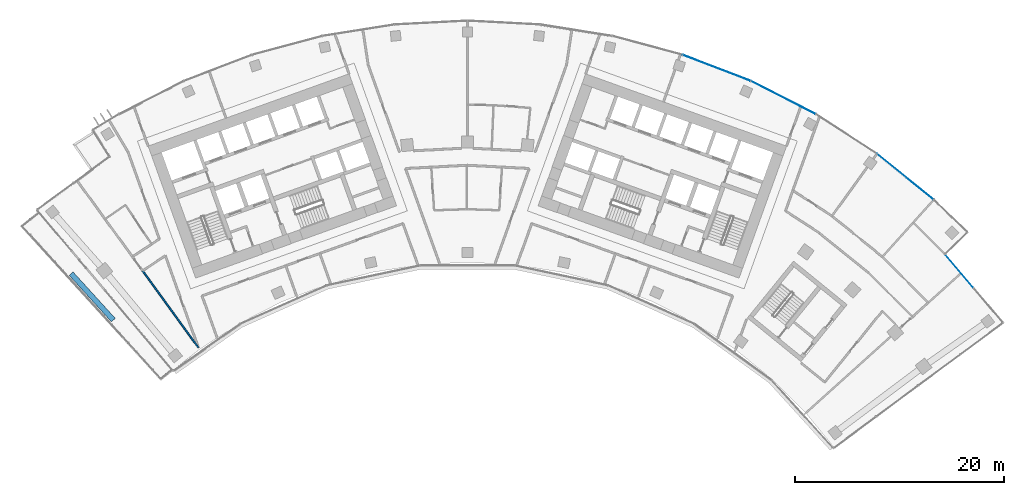
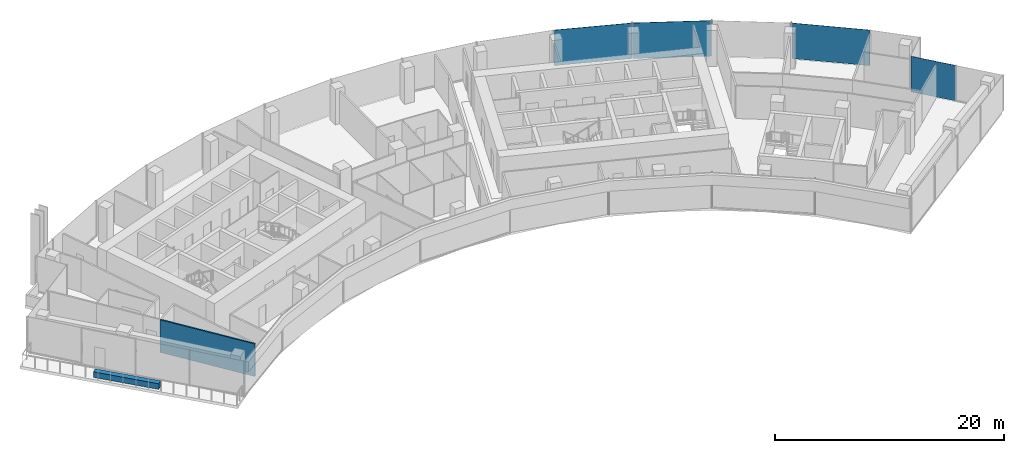
# One storey, part 10 of 18: 4 plates, 2 walls, 2 elements without a shape of their own.
"""IFC4 building model written with IfcOpenShell, lengths in metres."""

from ifc_helpers import new_model, si_unit, direction, frame, frame_2d, origin, origin_2d, place, context, subcontext, project, spatial, rectangle, extrude, material, layer, layer_set, type_object, element, aggregate, save


model = new_model("IFC4")

# Units and contexts
model_context = context("Model", 3, precision=1e-05, world=origin(), true_north=direction((0.0, 1.0)))
body_context = subcontext(model_context, "Body", "Model", "MODEL_VIEW")
ifc_project = project(units=[si_unit("LENGTHUNIT", "METRE"), si_unit("AREAUNIT", "SQUARE_METRE"), si_unit("VOLUMEUNIT", "CUBIC_METRE"), si_unit("PLANEANGLEUNIT", "RADIAN"), si_unit("MASSUNIT", "GRAM", prefix="KILO")], contexts=[model_context])

# Site, building, storey
site_placement = place(None, origin())
site = spatial("IfcSite", under=ifc_project, at=site_placement, CompositionType="ELEMENT")
building_placement = place(site_placement, origin())
building = spatial("IfcBuilding", under=site, at=building_placement, Name="Stone Belt Terrace Tower", CompositionType="ELEMENT")
storey_placement = place(building_placement, frame((0.0, 0.0, 239.0)))
storey = spatial("IfcBuildingStorey", under=building, at=storey_placement, Name="L58", CompositionType="ELEMENT", Elevation=239.0)

# Curtain wall, plates
ifc_material_1 = material(Name="Aluminium 6063-T6 anodised frame", Category="aluminium")
ifc_layer_1 = layer(ifc_material_1, 0.14990234375)
ifc_layer_set_1 = layer_set([ifc_layer_1], Name="CW-A unitised convex-face curtain wall")
curtain_wall_type_1 = type_object("IfcCurtainWallType", Name="CW-A unitised convex-face curtain wall", PredefinedType="NOTDEFINED", material=ifc_layer_set_1)
curtain_wall_1_placement = place(storey_placement, origin())
curtain_wall_1 = element("IfcCurtainWall", 1, at=curtain_wall_1_placement, inside=storey, type_object=curtain_wall_type_1, Name="CW-A convex face L58", PredefinedType="NOTDEFINED")
ifc_material_2 = material(Name="Clear double glazed unit")
ifc_layer_2 = layer(ifc_material_2, 0.031982421875)
ifc_layer_set_2 = layer_set([ifc_layer_2], Name="CW-A glass panel 32")
plate_type_1 = type_object("IfcPlateType", Name="CW-A glass panel 32", PredefinedType="CURTAIN_PANEL", material=ifc_layer_set_2)
plate_1_placement = place(storey_placement, frame((41.839599609375, 51.667724609375, 0.0), z_axis=(0.0, 0.0, 1.0), x_axis=(-0.777145961457, 0.62932039105, 0.0)))
plate_1 = element("IfcPlate", 2, at=plate_1_placement, type_object=plate_type_1, Name="CW-A panel 2.1", PredefinedType="CURTAIN_PANEL", context=body_context, shape_type="SweptSolid", body=[
    extrude(rectangle(XDim=6.90087890625, YDim=0.031982421875, at=origin_2d()), origin(), (0.0, 0.0, 1.0), 3.800048828125),
])
plate_2_placement = place(storey_placement, frame((30.18310546875, 59.237548828125, 0.0), z_axis=(0.0, 0.0, 1.0), x_axis=(-0.891006524188, 0.45399049974, 0.0)))
plate_2 = element("IfcPlate", 3, at=plate_2_placement, type_object=plate_type_1, Name="CW-A panel 4.1", PredefinedType="CURTAIN_PANEL", context=body_context, shape_type="SweptSolid", body=[
    extrude(rectangle(XDim=6.90087890625, YDim=0.031982421875, at=origin_2d()), origin(), (0.0, 0.0, 1.0), 3.800048828125),
])
plate_3_placement = place(storey_placement, frame((23.82568359375, 62.068115234375, 0.0), z_axis=(0.0, 0.0, 1.0), x_axis=(-0.933580426497, 0.358367949545, 0.0)))
plate_3 = element("IfcPlate", 4, at=plate_3_placement, type_object=plate_type_1, Name="CW-A panel 5.1", PredefinedType="CURTAIN_PANEL", context=body_context, shape_type="SweptSolid", body=[
    extrude(rectangle(XDim=6.90087890625, YDim=0.031982421875, at=origin_2d()), origin(), (0.0, 0.0, 1.0), 3.800048828125),
])
aggregate(curtain_wall_1, [plate_1, plate_2, plate_3])

# Curtain wall, plate
ifc_layer_3 = layer(ifc_material_1, 0.14990234375)
ifc_layer_set_3 = layer_set([ifc_layer_3], Name="CW-C stick curtain wall, horn ends and notches")
curtain_wall_type_2 = type_object("IfcCurtainWallType", Name="CW-C stick curtain wall, horn ends and notches", PredefinedType="NOTDEFINED", material=ifc_layer_set_3)
curtain_wall_2_placement = place(storey_placement, origin())
curtain_wall_2 = element("IfcCurtainWall", 5, at=curtain_wall_2_placement, inside=storey, type_object=curtain_wall_type_2, Name="CW-C notch face L58", PredefinedType="NOTDEFINED")
ifc_layer_4 = layer(ifc_material_2, 0.028076171875)
ifc_layer_set_4 = layer_set([ifc_layer_4], Name="CW-C glass panel 28")
plate_type_2 = type_object("IfcPlateType", Name="CW-C glass panel 28", PredefinedType="CURTAIN_PANEL", material=ifc_layer_set_4)
plate_4_placement = place(storey_placement, frame((47.000244140625, 42.645751953125, 0.0), z_axis=(0.0, 0.0, 1.0), x_axis=(-0.647210945735, 0.762310954743, 0.0)))
plate_4 = element("IfcPlate", 6, at=plate_4_placement, type_object=plate_type_2, Name="CW-C panel 2.1", PredefinedType="CURTAIN_PANEL", context=body_context, shape_type="SweptSolid", body=[
    extrude(rectangle(XDim=4.12060546875, YDim=0.028076171875, at=origin_2d()), origin(), (0.0, 0.0, 1.0), 3.800048828125),
])
aggregate(curtain_wall_2, [plate_4])

# Walls
ifc_material_3 = material(Name="Gypsum board partition")
ifc_layer_5 = layer(ifc_material_3, 0.14990234375)
ifc_layer_set_5 = layer_set([ifc_layer_5], Name="PARTITION 150 EI 60")
wall_type_1 = type_object("IfcWallType", Name="PARTITION 150 EI 60", PredefinedType="PARTITIONING", material=ifc_layer_set_5)
wall_1_placement = place(storey_placement, frame((-31.02294921875, 42.700927734375, 0.0), z_axis=(0.0, 0.0, 1.0), x_axis=(0.587731401544, -0.809056116495, 0.0)))
element("IfcWall", 7, at=wall_1_placement, inside=storey, type_object=wall_type_1, Name="L58/wall/i036", PredefinedType="PARTITIONING", context=body_context, shape_type="SweptSolid", body=[
    extrude(rectangle(XDim=9.068603515625, YDim=0.14990234375, at=frame_2d((4.5341796875, 0.0))), origin(), (0.0, 0.0, 1.0), 3.47998046875),
])
ifc_material_4 = material(Name="Precast concrete C40/50", Category="concrete")
ifc_layer_6 = layer(ifc_material_4, 0.5)
ifc_layer_set_6 = layer_set([ifc_layer_6], Name="Planter box 500 x 600")
wall_type_2 = type_object("IfcWallType", Name="Planter box 500 x 600", PredefinedType="SOLIDWALL", material=ifc_layer_set_6)
wall_2_placement = place(storey_placement, frame((-35.8330078125, 40.20458984375, 0.0), z_axis=(0.0, 0.0, 1.0), x_axis=(0.672944127735, -0.739693315468, 0.0)))
element("IfcWall", 8, at=wall_2_placement, inside=storey, type_object=wall_type_2, Name="PLANTER L58 1", PredefinedType="SOLIDWALL", context=body_context, shape_type="SweptSolid", body=[
    extrude(rectangle(XDim=6.0, YDim=0.5, at=origin_2d()), origin(), (0.0, 0.0, 1.0), 0.60009765625),
])

save(model, "model.ifc")
